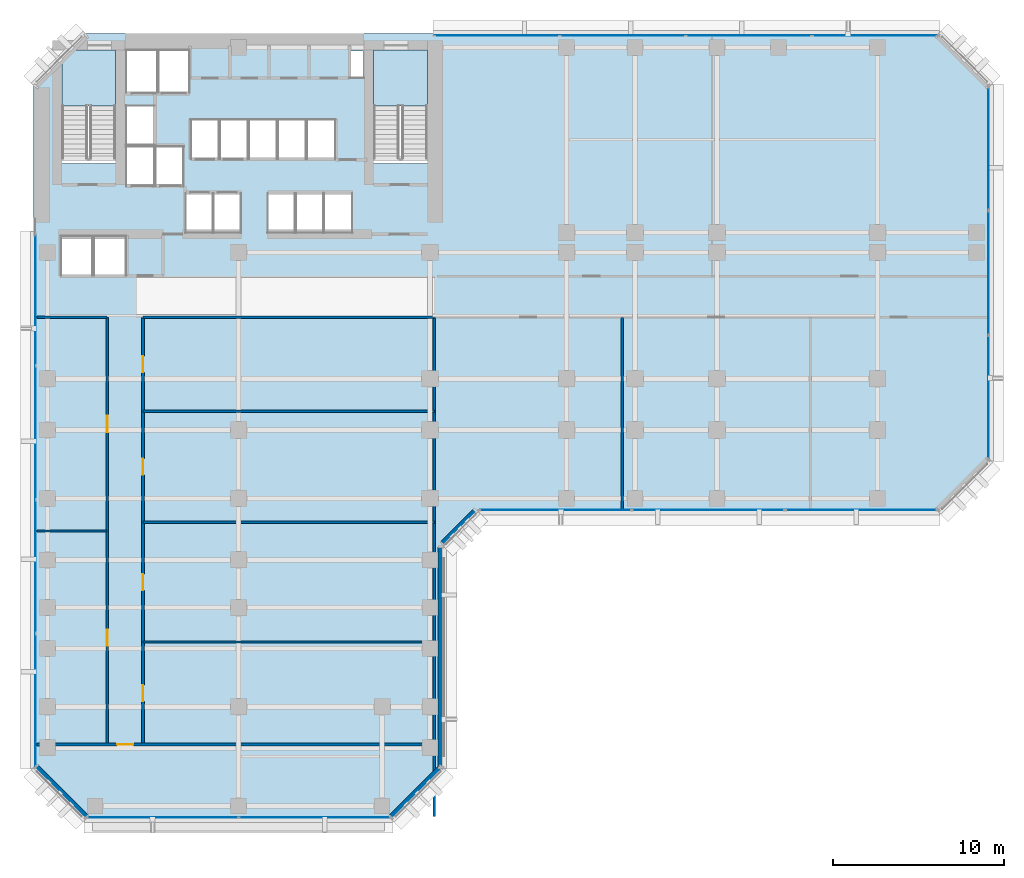
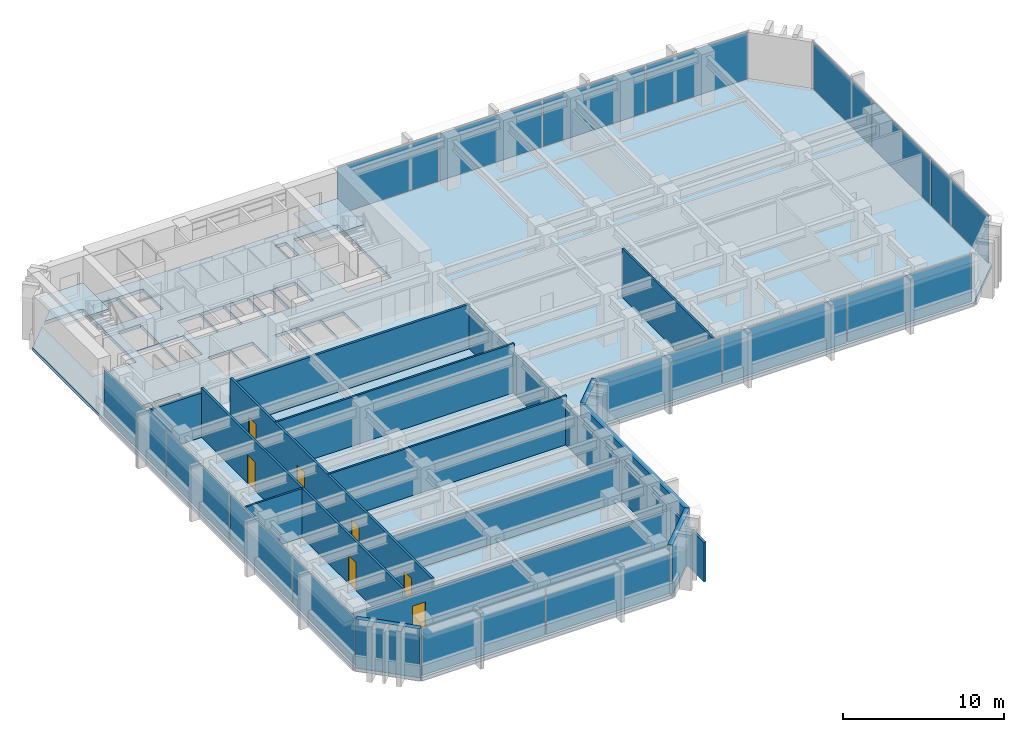
# One storey, part 6 of 14: 16 plates, 15 walls, 7 doors, 3 slabs, 7 openings, 7 elements without a shape of their own.
"""IFC4 building model written with IfcOpenShell, lengths in metres."""

from ifc_helpers import new_model, si_unit, direction, frame, frame_2d, origin, origin_2d, place, context, subcontext, project, spatial, polyline, rectangle, outline, extrude, material, layer, layer_set, type_object, element, fill, aggregate, save


model = new_model("IFC4")

# Units and contexts
model_context = context("Model", 3, precision=1e-05, world=origin(), true_north=direction((0.0, 1.0)))
body_context = subcontext(model_context, "Body", "Model", "MODEL_VIEW")
ifc_project = project(units=[si_unit("LENGTHUNIT", "METRE"), si_unit("AREAUNIT", "SQUARE_METRE"), si_unit("VOLUMEUNIT", "CUBIC_METRE"), si_unit("PLANEANGLEUNIT", "RADIAN"), si_unit("MASSUNIT", "GRAM", prefix="KILO")], contexts=[model_context])

# Site, building, storey
site_placement = place(None, origin())
site = spatial("IfcSite", under=ifc_project, at=site_placement, CompositionType="ELEMENT")
building_placement = place(site_placement, origin())
building = spatial("IfcBuilding", under=site, at=building_placement, Name="Kefirva Bronze Tower", CompositionType="ELEMENT")
storey_placement = place(building_placement, frame((0.0, 0.0, 34.320068359375)))
storey = spatial("IfcBuildingStorey", under=building, at=storey_placement, Name="L07", CompositionType="ELEMENT", Elevation=34.320068359375)

# Stair, slab
ifc_material_1 = material(Name="Concrete C40/50", Category="concrete")
stair_type = type_object("IfcStairType", Name="RC Dogleg Protected Stair 24R", PredefinedType="HALF_TURN_STAIR", material=ifc_material_1)
stair_1_placement = place(storey_placement, origin())
stair_1 = element("IfcStair", 1, at=stair_1_placement, inside=storey, type_object=stair_type, Name="L07 Protected Exit Stair 1", PredefinedType="HALF_TURN_STAIR")
ifc_layer_1 = layer(ifc_material_1, 0.199951171875, Name="Concrete C40/50")
ifc_layer_set_1 = layer_set([ifc_layer_1], Name="Concrete C40/50")
slab_type_1 = type_object("IfcSlabType", Name="RC Stair Landing Slab 200mm", PredefinedType="LANDING", material=ifc_layer_set_1)
slab_1_placement = place(storey_placement, frame((0.0, 0.0, 1.780029296875)))
slab_1 = element("IfcSlab", 2, at=slab_1_placement, type_object=slab_type_1, Name="ST-1 landing 1", PredefinedType="LANDING", context=body_context, shape_type="SweptSolid", body=[
    extrude(outline(polyline([(4.800048828125, 41.780029296875), (4.800048828125, 45.050048828125), (1.64990234375, 45.050048828125), (1.64990234375, 41.780029296875), (4.800048828125, 41.780029296875)])), origin(), (0.0, 0.0, 1.0), 0.199951171875),
])
aggregate(stair_1, [slab_1])

stair_2_placement = place(storey_placement, origin())
stair_2 = element("IfcStair", 3, at=stair_2_placement, inside=storey, type_object=stair_type, Name="L07 Protected Exit Stair 2", PredefinedType="HALF_TURN_STAIR")
slab_2_placement = place(storey_placement, frame((0.0, 0.0, 1.780029296875)))
slab_2 = element("IfcSlab", 4, at=slab_2_placement, type_object=slab_type_1, Name="ST-2 landing 1", PredefinedType="LANDING", context=body_context, shape_type="SweptSolid", body=[
    extrude(outline(polyline([(23.050048828125, 41.780029296875), (23.050048828125, 45.050048828125), (19.89990234375, 45.050048828125), (19.89990234375, 41.780029296875), (23.050048828125, 41.780029296875)])), origin(), (0.0, 0.0, 1.0), 0.199951171875),
])
aggregate(stair_2, [slab_2])

# Slab
ifc_layer_2 = layer(ifc_material_1, 0.25, Name="Concrete C40/50")
ifc_layer_set_2 = layer_set([ifc_layer_2], Name="Concrete C40/50")
slab_type_2 = type_object("IfcSlabType", Name="RC Tower Floor Slab 250mm", PredefinedType="FLOOR", material=ifc_layer_set_2)
slab_3_placement = place(storey_placement, frame((0.0, 0.0, -0.25)))
element("IfcSlab", 5, at=slab_3_placement, inside=storey, type_object=slab_type_2, Name="L07 Structural Floor Slab", PredefinedType="FLOOR", context=body_context, shape_type="SweptSolid", body=[
    extrude(outline(polyline([(0.0, 3.0), (0.0, 43.0), (1.64990234375, 44.64990234375), (1.64990234375, 38.39990234375), (4.800048828125, 38.39990234375), (4.800048828125, 45.050048828125), (2.050048828125, 45.050048828125), (3.0, 46.0), (53.0, 46.0), (56.0, 43.0), (56.0, 21.0), (53.0, 18.0), (26.0, 18.0), (24.0, 16.0), (24.0, 3.0), (21.0, 0.0), (3.0, 0.0), (0.0, 3.0)]), holes=[polyline([(19.89990234375, 38.39990234375), (23.050048828125, 38.39990234375), (23.050048828125, 45.050048828125), (19.89990234375, 45.050048828125), (19.89990234375, 38.39990234375)]), polyline([(18.52001953125, 43.419921875), (19.320068359375, 43.419921875), (19.320068359375, 45.0), (18.52001953125, 45.0), (18.52001953125, 43.419921875)]), polyline([(17.0, 34.35009765625), (18.64990234375, 34.35009765625), (18.64990234375, 36.64990234375), (17.0, 36.64990234375), (17.0, 34.35009765625)]), polyline([(17.64990234375, 38.679931640625), (17.64990234375, 40.97998046875), (16.0, 40.97998046875), (16.0, 38.679931640625), (17.64990234375, 38.679931640625)]), polyline([(16.949951171875, 34.35009765625), (16.949951171875, 36.64990234375), (15.35009765625, 36.64990234375), (15.35009765625, 34.35009765625), (16.949951171875, 34.35009765625)]), polyline([(15.929931640625, 38.679931640625), (15.929931640625, 40.97998046875), (14.300048828125, 40.97998046875), (14.300048828125, 38.679931640625), (15.929931640625, 38.679931640625)]), polyline([(15.300048828125, 34.35009765625), (15.300048828125, 36.64990234375), (13.699951171875, 36.64990234375), (13.699951171875, 34.35009765625), (15.300048828125, 34.35009765625)]), polyline([(14.22998046875, 38.679931640625), (14.22998046875, 40.97998046875), (12.60009765625, 40.97998046875), (12.60009765625, 38.679931640625), (14.22998046875, 38.679931640625)]), polyline([(10.89990234375, 38.679931640625), (12.530029296875, 38.679931640625), (12.530029296875, 40.97998046875), (10.89990234375, 40.97998046875), (10.89990234375, 38.679931640625)]), polyline([(12.139892578125, 34.35009765625), (12.139892578125, 36.64990234375), (10.5400390625, 36.64990234375), (10.5400390625, 34.35009765625), (12.139892578125, 34.35009765625)]), polyline([(10.830078125, 38.679931640625), (10.830078125, 40.97998046875), (9.199951171875, 40.97998046875), (9.199951171875, 38.679931640625), (10.830078125, 38.679931640625)]), polyline([(10.5, 34.35009765625), (10.5, 36.64990234375), (8.89990234375, 36.64990234375), (8.89990234375, 34.35009765625), (10.5, 34.35009765625)]), polyline([(7.300048828125, 42.550048828125), (9.1201171875, 42.550048828125), (9.1201171875, 45.050048828125), (7.300048828125, 45.050048828125), (7.300048828125, 42.550048828125)]), polyline([(7.139892578125, 37.10009765625), (8.780029296875, 37.10009765625), (8.780029296875, 39.39990234375), (7.139892578125, 39.39990234375), (7.139892578125, 37.10009765625)]), polyline([(5.419921875, 42.550048828125), (7.239990234375, 42.550048828125), (7.239990234375, 45.050048828125), (5.419921875, 45.050048828125), (5.419921875, 42.550048828125)]), polyline([(7.06005859375, 39.47998046875), (7.06005859375, 41.780029296875), (5.419921875, 41.780029296875), (5.419921875, 39.47998046875), (7.06005859375, 39.47998046875)]), polyline([(5.419921875, 37.10009765625), (7.06005859375, 37.10009765625), (7.06005859375, 39.39990234375), (5.419921875, 39.39990234375), (5.419921875, 37.10009765625)]), polyline([(5.39990234375, 31.85009765625), (5.39990234375, 34.14990234375), (3.550048828125, 34.14990234375), (3.550048828125, 31.85009765625), (5.39990234375, 31.85009765625)]), polyline([(3.449951171875, 31.85009765625), (3.449951171875, 34.14990234375), (1.60009765625, 34.14990234375), (1.60009765625, 31.85009765625), (3.449951171875, 31.85009765625)])]), origin(), (0.0, 0.0, 1.0), 0.25),
])

# Curtain wall, plates
ifc_material_2 = material(Name="Bronze anodised aluminium", Category="aluminium")
ifc_layer_3 = layer(ifc_material_2, 0.199951171875, Name="Bronze anodised aluminium")
ifc_layer_set_3 = layer_set([ifc_layer_3], Name="Bronze anodised aluminium")
curtain_wall_type = type_object("IfcCurtainWallType", Name="Unitised Bronze Ribbon Curtain Wall Zone 1", PredefinedType="USERDEFINED", material=ifc_layer_set_3)
curtain_wall_1_placement = place(storey_placement, origin())
curtain_wall_1 = element("IfcCurtainWall", 6, at=curtain_wall_1_placement, inside=storey, type_object=curtain_wall_type, Name="L07 Curtain Wall 1", ObjectType="UNITISED CURTAIN WALL", PredefinedType="USERDEFINED")
ifc_material_3 = material(Name="Laminated low-E double glazing", Category="glass")
ifc_layer_4 = layer(ifc_material_3, 0.031982421875, Name="Laminated low-E double glazing")
ifc_layer_set_4 = layer_set([ifc_layer_4], Name="Laminated low-E double glazing")
plate_type = type_object("IfcPlateType", Name="Solar-Control Low-E Vision Panel 32mm", PredefinedType="CURTAIN_PANEL", material=ifc_layer_set_4)
plate_1_placement = place(storey_placement, frame((7.546142578125, 0.1201171875, 0.074951171875), z_axis=(0.0, 0.0, 1.0), x_axis=(1.0, 0.0, 0.0)))
plate_1 = element("IfcPlate", 7, at=plate_1_placement, type_object=plate_type, Name="CW-01 panel 1.1", PredefinedType="CURTAIN_PANEL", context=body_context, shape_type="SweptSolid", body=[
    extrude(rectangle(XDim=8.83251953125, YDim=0.031982421875, at=origin_2d()), origin(), (0.0, 0.0, 1.0), 3.56005859375),
])
plate_2_placement = place(storey_placement, frame((16.453857421875, 0.1201171875, 0.074951171875), z_axis=(0.0, 0.0, 1.0), x_axis=(1.0, 0.0, 0.0)))
plate_2 = element("IfcPlate", 8, at=plate_2_placement, type_object=plate_type, Name="CW-01 panel 2.1", PredefinedType="CURTAIN_PANEL", context=body_context, shape_type="SweptSolid", body=[
    extrude(rectangle(XDim=8.83251953125, YDim=0.031982421875, at=origin_2d()), origin(), (0.0, 0.0, 1.0), 3.56005859375),
])
aggregate(curtain_wall_1, [plate_1, plate_2])

curtain_wall_2_placement = place(storey_placement, origin())
curtain_wall_2 = element("IfcCurtainWall", 9, at=curtain_wall_2_placement, inside=storey, type_object=curtain_wall_type, Name="L07 Curtain Wall 2", ObjectType="UNITISED CURTAIN WALL", PredefinedType="USERDEFINED")
plate_3_placement = place(storey_placement, frame((30.555419921875, 18.1201171875, 0.074951171875), z_axis=(0.0, 0.0, 1.0), x_axis=(1.0, 0.0, 0.0)))
plate_3 = element("IfcPlate", 10, at=plate_3_placement, type_object=plate_type, Name="CW-01 panel 1.1", PredefinedType="CURTAIN_PANEL", context=body_context, shape_type="SweptSolid", body=[
    extrude(rectangle(XDim=8.850830078125, YDim=0.031982421875, at=origin_2d()), origin(), (0.0, 0.0, 1.0), 3.56005859375),
])
plate_4_placement = place(storey_placement, frame((39.5, 18.1201171875, 0.074951171875), z_axis=(0.0, 0.0, 1.0), x_axis=(1.0, 0.0, 0.0)))
plate_4 = element("IfcPlate", 11, at=plate_4_placement, type_object=plate_type, Name="CW-01 panel 2.1", PredefinedType="CURTAIN_PANEL", context=body_context, shape_type="SweptSolid", body=[
    extrude(rectangle(XDim=8.888427734375, YDim=0.031982421875, at=origin_2d()), origin(), (0.0, 0.0, 1.0), 3.56005859375),
])
plate_5_placement = place(storey_placement, frame((48.444580078125, 18.1201171875, 0.074951171875), z_axis=(0.0, 0.0, 1.0), x_axis=(1.0, 0.0, 0.0)))
plate_5 = element("IfcPlate", 12, at=plate_5_placement, type_object=plate_type, Name="CW-01 panel 3.1", PredefinedType="CURTAIN_PANEL", context=body_context, shape_type="SweptSolid", body=[
    extrude(rectangle(XDim=8.850830078125, YDim=0.031982421875, at=origin_2d()), origin(), (0.0, 0.0, 1.0), 3.56005859375),
])
aggregate(curtain_wall_2, [plate_3, plate_4, plate_5])

curtain_wall_3_placement = place(storey_placement, origin())
curtain_wall_3 = element("IfcCurtainWall", 13, at=curtain_wall_3_placement, inside=storey, type_object=curtain_wall_type, Name="L07 Curtain Wall 3", ObjectType="UNITISED CURTAIN WALL", PredefinedType="USERDEFINED")
plate_6_placement = place(storey_placement, frame((55.8798828125, 24.72216796875, 0.074951171875), z_axis=(0.0, 0.0, 1.0), x_axis=(0.0, 1.0, 0.0)))
plate_6 = element("IfcPlate", 14, at=plate_6_placement, type_object=plate_type, Name="CW-01 panel 1.1", PredefinedType="CURTAIN_PANEL", context=body_context, shape_type="SweptSolid", body=[
    extrude(rectangle(XDim=7.18408203125, YDim=0.031982421875, at=origin_2d()), origin(), (0.0, 0.0, 1.0), 3.56005859375),
])
plate_7_placement = place(storey_placement, frame((55.8798828125, 32.0, 0.074951171875), z_axis=(0.0, 0.0, 1.0), x_axis=(0.0, 1.0, 0.0)))
plate_7 = element("IfcPlate", 15, at=plate_7_placement, type_object=plate_type, Name="CW-01 panel 2.1", PredefinedType="CURTAIN_PANEL", context=body_context, shape_type="SweptSolid", body=[
    extrude(rectangle(XDim=7.2216796875, YDim=0.031982421875, at=origin_2d()), origin(), (0.0, 0.0, 1.0), 3.56005859375),
])
plate_8_placement = place(storey_placement, frame((55.8798828125, 39.27783203125, 0.074951171875), z_axis=(0.0, 0.0, 1.0), x_axis=(0.0, 1.0, 0.0)))
plate_8 = element("IfcPlate", 16, at=plate_8_placement, type_object=plate_type, Name="CW-01 panel 3.1", PredefinedType="CURTAIN_PANEL", context=body_context, shape_type="SweptSolid", body=[
    extrude(rectangle(XDim=7.18408203125, YDim=0.031982421875, at=origin_2d()), origin(), (0.0, 0.0, 1.0), 3.56005859375),
])
aggregate(curtain_wall_3, [plate_6, plate_7, plate_8])

curtain_wall_4_placement = place(storey_placement, origin())
curtain_wall_4 = element("IfcCurtainWall", 17, at=curtain_wall_4_placement, inside=storey, type_object=curtain_wall_type, Name="L07 Curtain Wall 4", ObjectType="UNITISED CURTAIN WALL", PredefinedType="USERDEFINED")
plate_9_placement = place(storey_placement, frame((49.233642578125, 45.8798828125, 0.074951171875), z_axis=(0.0, 0.0, 1.0), x_axis=(-1.0, 0.0, 0.0)))
plate_9 = element("IfcPlate", 18, at=plate_9_placement, type_object=plate_type, Name="CW-01 panel 1.1", PredefinedType="CURTAIN_PANEL", context=body_context, shape_type="SweptSolid", body=[
    extrude(rectangle(XDim=7.2724609375, YDim=0.031982421875, at=origin_2d()), origin(), (0.0, 0.0, 1.0), 3.56005859375),
])
plate_10_placement = place(storey_placement, frame((41.867431640625, 45.8798828125, 0.074951171875), z_axis=(0.0, 0.0, 1.0), x_axis=(-1.0, 0.0, 0.0)))
plate_10 = element("IfcPlate", 19, at=plate_10_placement, type_object=plate_type, Name="CW-01 panel 2.1", PredefinedType="CURTAIN_PANEL", context=body_context, shape_type="SweptSolid", body=[
    extrude(rectangle(XDim=7.31005859375, YDim=0.031982421875, at=origin_2d()), origin(), (0.0, 0.0, 1.0), 3.56005859375),
])
plate_11_placement = place(storey_placement, frame((34.482421875, 45.8798828125, 0.074951171875), z_axis=(0.0, 0.0, 1.0), x_axis=(-1.0, 0.0, 0.0)))
plate_11 = element("IfcPlate", 20, at=plate_11_placement, type_object=plate_type, Name="CW-01 panel 3.1", PredefinedType="CURTAIN_PANEL", context=body_context, shape_type="SweptSolid", body=[
    extrude(rectangle(XDim=7.31005859375, YDim=0.031982421875, at=origin_2d()), origin(), (0.0, 0.0, 1.0), 3.56005859375),
])
plate_12_placement = place(storey_placement, frame((27.1162109375, 45.8798828125, 0.074951171875), z_axis=(0.0, 0.0, 1.0), x_axis=(-1.0, 0.0, 0.0)))
plate_12 = element("IfcPlate", 21, at=plate_12_placement, type_object=plate_type, Name="CW-01 panel 4.1", PredefinedType="CURTAIN_PANEL", context=body_context, shape_type="SweptSolid", body=[
    extrude(rectangle(XDim=7.2724609375, YDim=0.031982421875, at=origin_2d()), origin(), (0.0, 0.0, 1.0), 3.56005859375),
])
aggregate(curtain_wall_4, [plate_9, plate_10, plate_11, plate_12])

curtain_wall_5_placement = place(storey_placement, origin())
curtain_wall_5 = element("IfcCurtainWall", 22, at=curtain_wall_5_placement, inside=storey, type_object=curtain_wall_type, Name="L07 Curtain Wall 5", ObjectType="UNITISED CURTAIN WALL", PredefinedType="USERDEFINED")
plate_13_placement = place(storey_placement, frame((0.1201171875, 30.458740234375, 0.074951171875), z_axis=(0.0, 0.0, 1.0), x_axis=(0.0, -1.0, 0.0)))
plate_13 = element("IfcPlate", 23, at=plate_13_placement, type_object=plate_type, Name="CW-01 panel 1.1", PredefinedType="CURTAIN_PANEL", context=body_context, shape_type="SweptSolid", body=[
    extrude(rectangle(XDim=7.722412109375, YDim=0.031982421875, at=origin_2d()), origin(), (0.0, 0.0, 1.0), 3.56005859375),
])
plate_14_placement = place(storey_placement, frame((0.1201171875, 22.642578125, 0.074951171875), z_axis=(0.0, 0.0, 1.0), x_axis=(0.0, -1.0, 0.0)))
plate_14 = element("IfcPlate", 24, at=plate_14_placement, type_object=plate_type, Name="CW-01 panel 2.1", PredefinedType="CURTAIN_PANEL", context=body_context, shape_type="SweptSolid", body=[
    extrude(rectangle(XDim=7.760009765625, YDim=0.031982421875, at=origin_2d()), origin(), (0.0, 0.0, 1.0), 3.56005859375),
])
plate_15_placement = place(storey_placement, frame((0.1201171875, 14.8076171875, 0.074951171875), z_axis=(0.0, 0.0, 1.0), x_axis=(0.0, -1.0, 0.0)))
plate_15 = element("IfcPlate", 25, at=plate_15_placement, type_object=plate_type, Name="CW-01 panel 3.1", PredefinedType="CURTAIN_PANEL", context=body_context, shape_type="SweptSolid", body=[
    extrude(rectangle(XDim=7.760009765625, YDim=0.031982421875, at=origin_2d()), origin(), (0.0, 0.0, 1.0), 3.56005859375),
])
plate_16_placement = place(storey_placement, frame((0.1201171875, 6.9912109375, 0.074951171875), z_axis=(0.0, 0.0, 1.0), x_axis=(0.0, -1.0, 0.0)))
plate_16 = element("IfcPlate", 26, at=plate_16_placement, type_object=plate_type, Name="CW-01 panel 4.1", PredefinedType="CURTAIN_PANEL", context=body_context, shape_type="SweptSolid", body=[
    extrude(rectangle(XDim=7.722412109375, YDim=0.031982421875, at=origin_2d()), origin(), (0.0, 0.0, 1.0), 3.56005859375),
])
aggregate(curtain_wall_5, [plate_13, plate_14, plate_15, plate_16])

# Walls
ifc_material_4 = material(Name="Gypsum acoustic partition")
ifc_layer_5 = layer(ifc_material_4, 0.1298828125, Name="Gypsum acoustic partition")
ifc_layer_set_5 = layer_set([ifc_layer_5], Name="Gypsum acoustic partition")
wall_type_1 = type_object("IfcWallType", Name="Acoustic Office Partition 130mm", PredefinedType="PARTITIONING", material=ifc_layer_set_5)
wall_1_placement = place(storey_placement, frame((0.18994140625, 16.89501953125, 0.0), z_axis=(0.0, 0.0, 1.0), x_axis=(1.0, 0.0, 0.0)))
element("IfcWall", 27, at=wall_1_placement, inside=storey, type_object=wall_type_1, Name="L07 Partition W-L07-SWD1", PredefinedType="PARTITIONING", context=body_context, shape_type="SweptSolid", body=[
    extrude(rectangle(XDim=4.110107421875, YDim=0.1298828125, at=frame_2d((2.05517578125, 0.0))), origin(), (0.0, 0.0, 1.0), 3.7099609375),
])
wall_2_placement = place(storey_placement, frame((6.39990234375, 10.392333984375, 0.0), z_axis=(0.0, 0.0, 1.0), x_axis=(1.0, 0.0, 0.0)))
element("IfcWall", 28, at=wall_2_placement, inside=storey, type_object=wall_type_1, Name="L07 Partition W-L07-SED1", PredefinedType="PARTITIONING", context=body_context, shape_type="SweptSolid", body=[
    extrude(rectangle(XDim=17.050048828125, YDim=0.1298828125, at=frame_2d((8.52490234375, 0.0))), origin(), (0.0, 0.0, 1.0), 2.994873046875),
])
for number, where, z_axis, x_axis, name in (
    (29, (6.39990234375, 17.395263671875, 0.0), (0.0, 0.0, 1.0), (1.0, 0.0, 0.0), "L07 Partition W-L07-SED2"),
    (30, (6.39990234375, 23.897705078125, 0.0), (0.0, 0.0, 1.0), (1.0, 0.0, 0.0), "L07 Partition W-L07-SED3"),
):
    element("IfcWall", number, at=place(storey_placement, frame(where, z_axis=z_axis, x_axis=x_axis)), inside=storey, type_object=wall_type_1, Name=name, PredefinedType="PARTITIONING", context=body_context, shape_type="SweptSolid", body=[
        extrude(rectangle(XDim=17.050048828125, YDim=0.1298828125, at=frame_2d((8.52490234375, 0.0))), origin(), (0.0, 0.0, 1.0), 3.7099609375),
    ])
wall_3_placement = place(storey_placement, frame((34.452392578125, 18.18994140625, 0.0), z_axis=(0.0, 0.0, 1.0), x_axis=(0.0, 1.0, 0.0)))
element("IfcWall", 31, at=wall_3_placement, inside=storey, type_object=wall_type_1, Name="L07 Partition W-L07-ESD1", PredefinedType="PARTITIONING", context=body_context, shape_type="SweptSolid", body=[
    extrude(rectangle(XDim=11.2099609375, YDim=0.1298828125, at=frame_2d((5.60498046875, 0.0))), origin(), (0.0, 0.0, 1.0), 3.7099609375),
])
ifc_material_5 = material(Name="Precast concrete C40/50", Category="concrete")
ifc_layer_6 = layer(ifc_material_5, 0.320068359375, Name="Precast concrete C40/50")
ifc_layer_set_6 = layer_set([ifc_layer_6], Name="Precast concrete C40/50")
wall_type_2 = type_object("IfcWallType", Name="Precast Insulated Exterior Wall 320mm", PredefinedType="SOLIDWALL", material=ifc_layer_set_6)
wall_4_placement = place(storey_placement, frame((20.92578125, 0.152099609375, 0.0), z_axis=(0.0, 0.0, 1.0), x_axis=(0.707106781187, 0.707106781187, 0.0)))
element("IfcWall", 32, at=wall_4_placement, inside=storey, type_object=wall_type_2, Name="L07 Exterior Facade Wall 1", PredefinedType="SOLIDWALL", context=body_context, shape_type="SweptSolid", body=[
    extrude(rectangle(XDim=4.132568359375, YDim=0.320068359375, at=frame_2d((2.06640625, 0.0))), origin(), (0.0, 0.0, 1.0), 3.7099609375),
])
wall_5_placement = place(storey_placement, frame((23.840087890625, 3.054931640625, 0.0), z_axis=(0.0, 0.0, 1.0), x_axis=(0.0, 1.0, 0.0)))
element("IfcWall", 33, at=wall_5_placement, inside=storey, type_object=wall_type_2, Name="L07 Exterior Facade Wall 2", PredefinedType="SOLIDWALL", context=body_context, shape_type="SweptSolid", body=[
    extrude(rectangle(XDim=12.89013671875, YDim=0.320068359375, at=frame_2d((6.445068359375, 0.0))), origin(), (0.0, 0.0, 1.0), 3.7099609375),
])
wall_6_placement = place(storey_placement, frame((23.92578125, 16.152099609375, 0.0), z_axis=(0.0, 0.0, 1.0), x_axis=(0.707106781187, 0.707106781187, 0.0)))
element("IfcWall", 34, at=wall_6_placement, inside=storey, type_object=wall_type_2, Name="L07 Exterior Facade Wall 3", PredefinedType="SOLIDWALL", context=body_context, shape_type="SweptSolid", body=[
    extrude(rectangle(XDim=2.71826171875, YDim=0.320068359375, at=frame_2d((1.359130859375, 0.0))), origin(), (0.0, 0.0, 1.0), 3.7099609375),
])
wall_7_placement = place(storey_placement, frame((0.152099609375, 3.07421875, 0.0), z_axis=(0.0, 0.0, 1.0), x_axis=(0.707106781187, -0.707106781187, 0.0)))
element("IfcWall", 35, at=wall_7_placement, inside=storey, type_object=wall_type_2, Name="L07 Exterior Facade Wall 7", PredefinedType="SOLIDWALL", context=body_context, shape_type="SweptSolid", body=[
    extrude(rectangle(XDim=4.132568359375, YDim=0.320068359375, at=frame_2d((2.06640625, 0.0))), origin(), (0.0, 0.0, 1.0), 3.7099609375),
])

# Wall, openings, doors
ifc_layer_7 = layer(ifc_material_4, 0.159912109375, Name="Gypsum acoustic partition")
ifc_layer_set_7 = layer_set([ifc_layer_7], Name="Gypsum acoustic partition")
wall_type_3 = type_object("IfcWallType", Name="Protected Corridor Partition 160mm", PredefinedType="PARTITIONING", material=ifc_layer_set_7)
wall_8_placement = place(storey_placement, frame((4.300048828125, 4.389892578125, 0.0), z_axis=(0.0, 0.0, 1.0), x_axis=(0.0, 1.0, 0.0)))
wall_8 = element("IfcWall", 36, at=wall_8_placement, inside=storey, type_object=wall_type_3, Name="L07 Partition W-L07-SWCORW", PredefinedType="PARTITIONING", context=body_context, shape_type="SweptSolid", body=[
    extrude(rectangle(XDim=25.010009765625, YDim=0.159912109375, at=frame_2d((12.5048828125, 0.0))), origin(), (0.0, 0.0, 1.0), 3.7099609375),
])
opening_1_placement = place(wall_8_placement, frame((6.7275390625, 0.0, 0.0), z_axis=(0.0, 0.0, 1.0), x_axis=(-1.0, 0.0, 0.0)))
opening_1 = element("IfcOpeningElement", 37, at=opening_1_placement, cuts=wall_8, Name="Opening L07-D-SW1", PredefinedType="OPENING", context=body_context, shape_type="SweptSolid", body=[
    extrude(rectangle(XDim=0.949951171875, YDim=2.14990234375, at=frame_2d((0.47509765625, 1.074951171875))), frame((0.0, 0.08984375, 0.0), z_axis=(0.0, -1.0, 0.0), x_axis=(1.0, 0.0, 0.0)), (0.0, 0.0, 1.0), 0.179931640625),
])
opening_2_placement = place(wall_8_placement, frame((19.232421875, 0.0, 0.0), z_axis=(0.0, 0.0, 1.0), x_axis=(-1.0, 0.0, 0.0)))
opening_2 = element("IfcOpeningElement", 38, at=opening_2_placement, cuts=wall_8, Name="Opening L07-D-SW2", PredefinedType="OPENING", context=body_context, shape_type="SweptSolid", body=[
    extrude(rectangle(XDim=0.949951171875, YDim=2.14990234375, at=frame_2d((0.47509765625, 1.074951171875))), frame((0.0, 0.08984375, 0.0), z_axis=(0.0, -1.0, 0.0), x_axis=(1.0, 0.0, 0.0)), (0.0, 0.0, 1.0), 0.179931640625),
])
ifc_material_6 = material(Name="Acoustic hardwood oak", Category="wood")
door_type = type_object("IfcDoorType", Name="Office & Meeting Room Door 950x2150", OperationType="NOTDEFINED", PredefinedType="DOOR", material=ifc_material_6)
door_1_placement = place(opening_1_placement, origin())
door_1 = element("IfcDoor", 39, at=door_1_placement, inside=storey, type_object=door_type, Name="Door L07-D-SW1", OperationType="SINGLE_SWING_RIGHT", OverallHeight=2.14990234375, OverallWidth=0.949951171875, PredefinedType="DOOR", context=body_context, shape_type="SweptSolid", body=[
    extrude(rectangle(XDim=0.949951171875, YDim=2.14990234375, at=frame_2d((0.47509765625, 1.074951171875))), frame((0.0, 0.02490234375, 0.0), z_axis=(0.0, -1.0, 0.0), x_axis=(1.0, 0.0, 0.0)), (0.0, 0.0, 1.0), 0.050048828125),
])
fill(opening_1, door_1)
door_2_placement = place(opening_2_placement, origin())
door_2 = element("IfcDoor", 40, at=door_2_placement, inside=storey, type_object=door_type, Name="Door L07-D-SW2", OperationType="SINGLE_SWING_LEFT", OverallHeight=2.14990234375, OverallWidth=0.949951171875, PredefinedType="DOOR", context=body_context, shape_type="SweptSolid", body=[
    extrude(rectangle(XDim=0.949951171875, YDim=2.14990234375, at=frame_2d((0.47509765625, 1.074951171875))), frame((0.0, 0.02490234375, 0.0), z_axis=(0.0, -1.0, 0.0), x_axis=(1.0, 0.0, 0.0)), (0.0, 0.0, 1.0), 0.050048828125),
])
fill(opening_2, door_2)

wall_9_placement = place(storey_placement, frame((6.39990234375, 4.389892578125, 0.0), z_axis=(0.0, 0.0, 1.0), x_axis=(0.0, 1.0, 0.0)))
wall_9 = element("IfcWall", 41, at=wall_9_placement, inside=storey, type_object=wall_type_3, Name="L07 Partition W-L07-SECORE", PredefinedType="PARTITIONING", context=body_context, shape_type="SweptSolid", body=[
    extrude(rectangle(XDim=25.010009765625, YDim=0.159912109375, at=frame_2d((12.5048828125, 0.0))), origin(), (0.0, 0.0, 1.0), 3.7099609375),
])
opening_3_placement = place(wall_9_placement, frame((2.526123046875, 0.0, 0.0)))
opening_3 = element("IfcOpeningElement", 42, at=opening_3_placement, cuts=wall_9, Name="Opening L07-D-SE1", PredefinedType="OPENING", context=body_context, shape_type="SweptSolid", body=[
    extrude(rectangle(XDim=0.949951171875, YDim=2.14990234375, at=frame_2d((0.47509765625, 1.074951171875))), frame((0.0, 0.08984375, 0.0), z_axis=(0.0, -1.0, 0.0), x_axis=(1.0, 0.0, 0.0)), (0.0, 0.0, 1.0), 0.179931640625),
])
opening_4_placement = place(wall_9_placement, frame((9.02880859375, 0.0, 0.0)))
opening_4 = element("IfcOpeningElement", 43, at=opening_4_placement, cuts=wall_9, Name="Opening L07-D-SE2", PredefinedType="OPENING", context=body_context, shape_type="SweptSolid", body=[
    extrude(rectangle(XDim=0.949951171875, YDim=2.14990234375, at=frame_2d((0.47509765625, 1.074951171875))), frame((0.0, 0.08984375, 0.0), z_axis=(0.0, -1.0, 0.0), x_axis=(1.0, 0.0, 0.0)), (0.0, 0.0, 1.0), 0.179931640625),
])
opening_5_placement = place(wall_9_placement, frame((15.781494140625, 0.0, 0.0)))
opening_5 = element("IfcOpeningElement", 44, at=opening_5_placement, cuts=wall_9, Name="Opening L07-D-SE3", PredefinedType="OPENING", context=body_context, shape_type="SweptSolid", body=[
    extrude(rectangle(XDim=0.949951171875, YDim=2.14990234375, at=frame_2d((0.47509765625, 1.074951171875))), frame((0.0, 0.08984375, 0.0), z_axis=(0.0, -1.0, 0.0), x_axis=(1.0, 0.0, 0.0)), (0.0, 0.0, 1.0), 0.179931640625),
])
opening_6_placement = place(wall_9_placement, frame((21.783935546875, 0.0, 0.0)))
opening_6 = element("IfcOpeningElement", 45, at=opening_6_placement, cuts=wall_9, Name="Opening L07-D-SE4", PredefinedType="OPENING", context=body_context, shape_type="SweptSolid", body=[
    extrude(rectangle(XDim=0.949951171875, YDim=2.14990234375, at=frame_2d((0.47509765625, 1.074951171875))), frame((0.0, 0.08984375, 0.0), z_axis=(0.0, -1.0, 0.0), x_axis=(1.0, 0.0, 0.0)), (0.0, 0.0, 1.0), 0.179931640625),
])
door_3_placement = place(opening_3_placement, origin())
door_3 = element("IfcDoor", 46, at=door_3_placement, inside=storey, type_object=door_type, Name="Door L07-D-SE1", OperationType="SINGLE_SWING_RIGHT", OverallHeight=2.14990234375, OverallWidth=0.949951171875, PredefinedType="DOOR", context=body_context, shape_type="SweptSolid", body=[
    extrude(rectangle(XDim=0.949951171875, YDim=2.14990234375, at=frame_2d((0.47509765625, 1.074951171875))), frame((0.0, 0.02490234375, 0.0), z_axis=(0.0, -1.0, 0.0), x_axis=(1.0, 0.0, 0.0)), (0.0, 0.0, 1.0), 0.050048828125),
])
fill(opening_3, door_3)
door_4_placement = place(opening_4_placement, origin())
door_4 = element("IfcDoor", 47, at=door_4_placement, inside=storey, type_object=door_type, Name="Door L07-D-SE2", OperationType="SINGLE_SWING_LEFT", OverallHeight=2.14990234375, OverallWidth=0.949951171875, PredefinedType="DOOR", context=body_context, shape_type="SweptSolid", body=[
    extrude(rectangle(XDim=0.949951171875, YDim=2.14990234375, at=frame_2d((0.47509765625, 1.074951171875))), frame((0.0, 0.02490234375, 0.0), z_axis=(0.0, -1.0, 0.0), x_axis=(1.0, 0.0, 0.0)), (0.0, 0.0, 1.0), 0.050048828125),
])
fill(opening_4, door_4)
door_5_placement = place(opening_5_placement, origin())
door_5 = element("IfcDoor", 48, at=door_5_placement, inside=storey, type_object=door_type, Name="Door L07-D-SE3", OperationType="SINGLE_SWING_RIGHT", OverallHeight=2.14990234375, OverallWidth=0.949951171875, PredefinedType="DOOR", context=body_context, shape_type="SweptSolid", body=[
    extrude(rectangle(XDim=0.949951171875, YDim=2.14990234375, at=frame_2d((0.47509765625, 1.074951171875))), frame((0.0, 0.02490234375, 0.0), z_axis=(0.0, -1.0, 0.0), x_axis=(1.0, 0.0, 0.0)), (0.0, 0.0, 1.0), 0.050048828125),
])
fill(opening_5, door_5)
door_6_placement = place(opening_6_placement, origin())
door_6 = element("IfcDoor", 49, at=door_6_placement, inside=storey, type_object=door_type, Name="Door L07-D-SE4", OperationType="SINGLE_SWING_LEFT", OverallHeight=2.14990234375, OverallWidth=0.949951171875, PredefinedType="DOOR", context=body_context, shape_type="SweptSolid", body=[
    extrude(rectangle(XDim=0.949951171875, YDim=2.14990234375, at=frame_2d((0.47509765625, 1.074951171875))), frame((0.0, 0.02490234375, 0.0), z_axis=(0.0, -1.0, 0.0), x_axis=(1.0, 0.0, 0.0)), (0.0, 0.0, 1.0), 0.050048828125),
])
fill(opening_6, door_6)

# Wall, opening, door
wall_10_placement = place(storey_placement, frame((0.18994140625, 4.389892578125, 0.0), z_axis=(0.0, 0.0, 1.0), x_axis=(1.0, 0.0, 0.0)))
wall_10 = element("IfcWall", 50, at=wall_10_placement, inside=storey, type_object=wall_type_3, Name="L07 Partition W-L07-SBEND", PredefinedType="PARTITIONING", context=body_context, shape_type="SweptSolid", body=[
    extrude(rectangle(XDim=23.260009765625, YDim=0.159912109375, at=frame_2d((11.6298828125, 0.0))), origin(), (0.0, 0.0, 1.0), 2.994873046875),
])
opening_7_placement = place(wall_10_placement, frame((4.68994140625, 0.0, 0.0)))
opening_7 = element("IfcOpeningElement", 51, at=opening_7_placement, cuts=wall_10, Name="Opening L07-D-SEND1", PredefinedType="OPENING", context=body_context, shape_type="SweptSolid", body=[
    extrude(rectangle(XDim=0.949951171875, YDim=2.14990234375, at=frame_2d((0.47509765625, 1.074951171875))), frame((0.0, 0.08984375, 0.0), z_axis=(0.0, -1.0, 0.0), x_axis=(1.0, 0.0, 0.0)), (0.0, 0.0, 1.0), 0.179931640625),
])
door_7_placement = place(opening_7_placement, origin())
door_7 = element("IfcDoor", 52, at=door_7_placement, inside=storey, type_object=door_type, Name="Door L07-D-SEND1", OperationType="SINGLE_SWING_LEFT", OverallHeight=2.14990234375, OverallWidth=0.949951171875, PredefinedType="DOOR", context=body_context, shape_type="SweptSolid", body=[
    extrude(rectangle(XDim=0.949951171875, YDim=2.14990234375, at=frame_2d((0.47509765625, 1.074951171875))), frame((0.0, 0.02490234375, 0.0), z_axis=(0.0, -1.0, 0.0), x_axis=(1.0, 0.0, 0.0)), (0.0, 0.0, 1.0), 0.050048828125),
])
fill(opening_7, door_7)

# Walls
wall_11_placement = place(storey_placement, frame((0.18994140625, 29.39990234375, 0.0), z_axis=(0.0, 0.0, 1.0), x_axis=(1.0, 0.0, 0.0)))
element("IfcWall", 53, at=wall_11_placement, inside=storey, type_object=wall_type_3, Name="L07 Partition W-L07-NWT", PredefinedType="PARTITIONING", context=body_context, shape_type="SweptSolid", body=[
    extrude(rectangle(XDim=4.110107421875, YDim=0.159912109375, at=frame_2d((2.05517578125, 0.0))), origin(), (0.0, 0.0, 1.0), 3.364990234375),
])
wall_12_placement = place(storey_placement, frame((6.39990234375, 29.39990234375, 0.0), z_axis=(0.0, 0.0, 1.0), x_axis=(1.0, 0.0, 0.0)))
element("IfcWall", 54, at=wall_12_placement, inside=storey, type_object=wall_type_3, Name="L07 Partition W-L07-NET", PredefinedType="PARTITIONING", context=body_context, shape_type="SweptSolid", body=[
    extrude(rectangle(XDim=17.050048828125, YDim=0.159912109375, at=frame_2d((8.52490234375, 0.0))), origin(), (0.0, 0.0, 1.0), 3.364990234375),
])
wall_13_placement = place(storey_placement, frame((23.449951171875, 0.18994140625, 0.0), z_axis=(0.0, 0.0, 1.0), x_axis=(0.0, 1.0, 0.0)))
element("IfcWall", 55, at=wall_13_placement, inside=storey, type_object=wall_type_3, Name="L07 Partition W-L07-SWEAST", PredefinedType="PARTITIONING", context=body_context, shape_type="SweptSolid", body=[
    extrude(rectangle(XDim=29.2099609375, YDim=0.159912109375, at=frame_2d((14.60498046875, 0.0))), origin(), (0.0, 0.0, 1.0), 2.994873046875),
])

save(model, "model.ifc")
